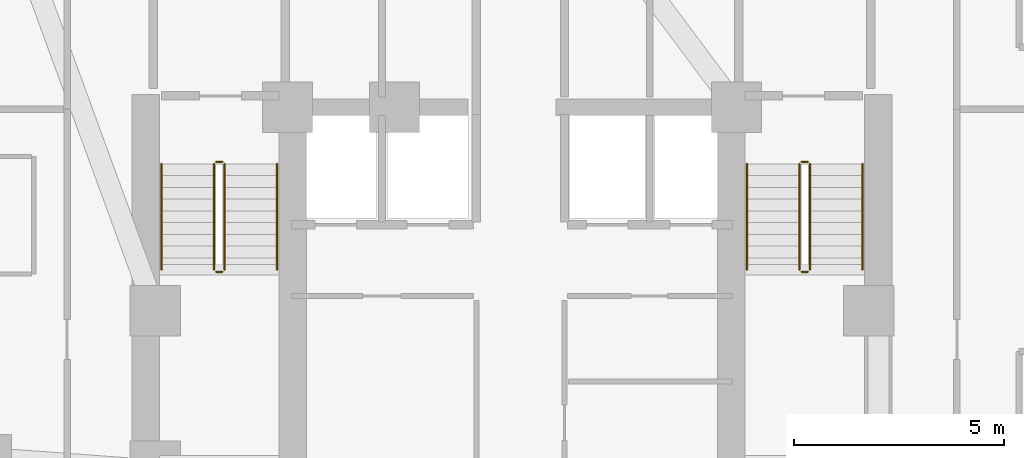
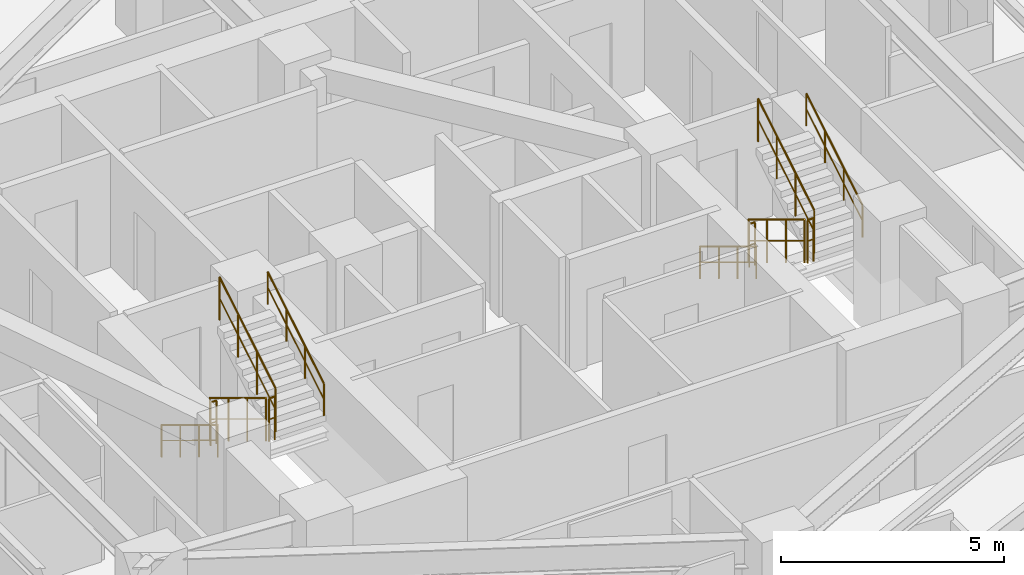
# One storey, part 13 of 13: 12 railings.
"""IFC4 building model written with IfcOpenShell, lengths in metres."""

from ifc_helpers import new_model, si_unit, direction, frame, origin, origin_2d, place, context, subcontext, project, spatial, circle, extrude, material, type_object, element, save


model = new_model("IFC4")

# Units and contexts
model_context = context("Model", 3, precision=1e-05, world=origin(), true_north=direction((0.0, 1.0)))
body_context = subcontext(model_context, "Body", "Model", "MODEL_VIEW")
ifc_project = project(units=[si_unit("LENGTHUNIT", "METRE"), si_unit("AREAUNIT", "SQUARE_METRE"), si_unit("VOLUMEUNIT", "CUBIC_METRE"), si_unit("PLANEANGLEUNIT", "RADIAN"), si_unit("MASSUNIT", "GRAM", prefix="KILO")], contexts=[model_context])

# Site, building, storey
site_placement = place(None, origin())
site = spatial("IfcSite", under=ifc_project, at=site_placement, CompositionType="ELEMENT")
building_placement = place(site_placement, origin())
building = spatial("IfcBuilding", under=site, at=building_placement, Name="Miruveldt Soraemaru", CompositionType="ELEMENT")
storey_placement = place(building_placement, frame((0.0, 0.0, 76.800048828125)))
storey = spatial("IfcBuildingStorey", under=building, at=storey_placement, Name="L21", CompositionType="ELEMENT", Elevation=76.800048828125)

# Railings
ifc_material = material(Name="Steel S355 (355 MPa)", Category="steel")
railing_type_1 = type_object("IfcRailingType", Name="RAIL-HR-900", PredefinedType="HANDRAIL", material=ifc_material)
railing_1_placement = place(storey_placement, frame((35.64990234375, 42.699951171875, 0.169921875)))
element("IfcRailing", 1, at=railing_1_placement, inside=storey, type_object=railing_type_1, Name="L21 ST-1 stair handrail 1", PredefinedType="HANDRAIL", context=body_context, shape_type="SweptSolid", body=[
    extrude(circle(Radius=0.02392578125, at=origin_2d()), frame((0.0, 0.0, 0.8759765625), z_axis=(0.0, -0.85478489116, 0.518982456201), x_axis=(1.0, 0.0, 0.0)), (0.0, 0.0, 1.0), 2.9482421875),
    extrude(circle(Radius=0.01611328125, at=origin_2d()), frame((0.0, 0.0, 0.449951171875), z_axis=(0.0, -0.85478489116, 0.518982456201), x_axis=(1.0, 0.0, 0.0)), (0.0, 0.0, 1.0), 2.9482421875),
    extrude(circle(Radius=0.02099609375, at=origin_2d()), origin(), (0.0, 0.0, 1.0), 0.851806640625),
    extrude(circle(Radius=0.02099609375, at=origin_2d()), frame((0.0, -0.840087890625, 0.510009765625)), (0.0, 0.0, 1.0), 0.851806640625),
    extrude(circle(Radius=0.02099609375, at=origin_2d()), frame((0.0, -1.679931640625, 1.02001953125)), (0.0, 0.0, 1.0), 0.851806640625),
    extrude(circle(Radius=0.02099609375, at=origin_2d()), frame((0.0, -2.52001953125, 1.530029296875)), (0.0, 0.0, 1.0), 0.851806640625),
])
railing_2_placement = place(storey_placement, frame((38.39990234375, 40.179931640625, 1.869873046875)))
element("IfcRailing", 2, at=railing_2_placement, inside=storey, type_object=railing_type_1, Name="L21 ST-1 stair handrail 2", PredefinedType="HANDRAIL", context=body_context, shape_type="SweptSolid", body=[
    extrude(circle(Radius=0.02392578125, at=origin_2d()), frame((0.0, 0.0, 0.8759765625), z_axis=(0.0, 0.85478489116, 0.518982456201), x_axis=(-1.0, 0.0, 0.0)), (0.0, 0.0, 1.0), 2.9482421875),
    extrude(circle(Radius=0.01611328125, at=origin_2d()), frame((0.0, 0.0, 0.449951171875), z_axis=(0.0, 0.85478489116, 0.518982456201), x_axis=(-1.0, 0.0, 0.0)), (0.0, 0.0, 1.0), 2.9482421875),
    extrude(circle(Radius=0.02099609375, at=origin_2d()), origin(), (0.0, 0.0, 1.0), 0.851806640625),
    extrude(circle(Radius=0.02099609375, at=origin_2d()), frame((0.0, 0.840087890625, 0.510009765625)), (0.0, 0.0, 1.0), 0.851806640625),
    extrude(circle(Radius=0.02099609375, at=origin_2d()), frame((0.0, 1.679931640625, 1.02001953125)), (0.0, 0.0, 1.0), 0.851806640625),
    extrude(circle(Radius=0.02099609375, at=origin_2d()), frame((0.0, 2.52001953125, 1.530029296875)), (0.0, 0.0, 1.0), 0.851806640625),
])
railing_3_placement = place(storey_placement, frame((49.60009765625, 42.699951171875, 0.169921875)))
element("IfcRailing", 3, at=railing_3_placement, inside=storey, type_object=railing_type_1, Name="L21 ST-2 stair handrail 1", PredefinedType="HANDRAIL", context=body_context, shape_type="SweptSolid", body=[
    extrude(circle(Radius=0.02392578125, at=origin_2d()), frame((0.0, 0.0, 0.8759765625), z_axis=(0.0, -0.85478489116, 0.518982456201), x_axis=(1.0, 0.0, 0.0)), (0.0, 0.0, 1.0), 2.9482421875),
    extrude(circle(Radius=0.01611328125, at=origin_2d()), frame((0.0, 0.0, 0.449951171875), z_axis=(0.0, -0.85478489116, 0.518982456201), x_axis=(1.0, 0.0, 0.0)), (0.0, 0.0, 1.0), 2.9482421875),
    extrude(circle(Radius=0.02099609375, at=origin_2d()), origin(), (0.0, 0.0, 1.0), 0.851806640625),
    extrude(circle(Radius=0.02099609375, at=origin_2d()), frame((0.0, -0.840087890625, 0.510009765625)), (0.0, 0.0, 1.0), 0.851806640625),
    extrude(circle(Radius=0.02099609375, at=origin_2d()), frame((0.0, -1.679931640625, 1.02001953125)), (0.0, 0.0, 1.0), 0.851806640625),
    extrude(circle(Radius=0.02099609375, at=origin_2d()), frame((0.0, -2.52001953125, 1.530029296875)), (0.0, 0.0, 1.0), 0.851806640625),
])
railing_4_placement = place(storey_placement, frame((52.35009765625, 40.179931640625, 1.869873046875)))
element("IfcRailing", 4, at=railing_4_placement, inside=storey, type_object=railing_type_1, Name="L21 ST-2 stair handrail 2", PredefinedType="HANDRAIL", context=body_context, shape_type="SweptSolid", body=[
    extrude(circle(Radius=0.02392578125, at=origin_2d()), frame((0.0, 0.0, 0.8759765625), z_axis=(0.0, 0.85478489116, 0.518982456201), x_axis=(-1.0, 0.0, 0.0)), (0.0, 0.0, 1.0), 2.9482421875),
    extrude(circle(Radius=0.01611328125, at=origin_2d()), frame((0.0, 0.0, 0.449951171875), z_axis=(0.0, 0.85478489116, 0.518982456201), x_axis=(-1.0, 0.0, 0.0)), (0.0, 0.0, 1.0), 2.9482421875),
    extrude(circle(Radius=0.02099609375, at=origin_2d()), origin(), (0.0, 0.0, 1.0), 0.851806640625),
    extrude(circle(Radius=0.02099609375, at=origin_2d()), frame((0.0, 0.840087890625, 0.510009765625)), (0.0, 0.0, 1.0), 0.851806640625),
    extrude(circle(Radius=0.02099609375, at=origin_2d()), frame((0.0, 1.679931640625, 1.02001953125)), (0.0, 0.0, 1.0), 0.851806640625),
    extrude(circle(Radius=0.02099609375, at=origin_2d()), frame((0.0, 2.52001953125, 1.530029296875)), (0.0, 0.0, 1.0), 0.851806640625),
])
railing_type_2 = type_object("IfcRailingType", Name="RAIL-STGUARD-1200", PredefinedType="GUARDRAIL", material=ifc_material)
railing_5_placement = place(storey_placement, frame((36.89990234375, 42.699951171875, 0.169921875)))
element("IfcRailing", 5, at=railing_5_placement, inside=storey, type_object=railing_type_2, Name="L21 ST-1 stair guard 1", PredefinedType="GUARDRAIL", context=body_context, shape_type="SweptSolid", body=[
    extrude(circle(Radius=0.02392578125, at=origin_2d()), frame((0.0, 0.0, 1.17578125), z_axis=(0.0, -0.85478489116, 0.518982456201), x_axis=(1.0, 0.0, 0.0)), (0.0, 0.0, 1.0), 2.9482421875),
    extrude(circle(Radius=0.01611328125, at=origin_2d()), frame((0.0, 0.0, 0.60009765625), z_axis=(0.0, -0.85478489116, 0.518982456201), x_axis=(1.0, 0.0, 0.0)), (0.0, 0.0, 1.0), 2.9482421875),
    extrude(circle(Radius=0.02099609375, at=origin_2d()), origin(), (0.0, 0.0, 1.0), 1.15185546875),
    extrude(circle(Radius=0.02099609375, at=origin_2d()), frame((0.0, -0.840087890625, 0.510009765625)), (0.0, 0.0, 1.0), 1.15185546875),
    extrude(circle(Radius=0.02099609375, at=origin_2d()), frame((0.0, -1.679931640625, 1.02001953125)), (0.0, 0.0, 1.0), 1.15185546875),
    extrude(circle(Radius=0.02099609375, at=origin_2d()), frame((0.0, -2.52001953125, 1.530029296875)), (0.0, 0.0, 1.0), 1.15185546875),
])
railing_6_placement = place(storey_placement, frame((36.949951171875, 40.1298828125, 1.699951171875)))
element("IfcRailing", 6, at=railing_6_placement, inside=storey, type_object=railing_type_2, Name="L21 ST-1 stair guard 2", PredefinedType="GUARDRAIL", context=body_context, shape_type="SweptSolid", body=[
    extrude(circle(Radius=0.02392578125, at=origin_2d()), frame((0.0, 0.0, 1.17578125), z_axis=(1.0, 0.0, 0.0), x_axis=(0.0, 1.0, 0.0)), (0.0, 0.0, 1.0), 0.150146484375),
    extrude(circle(Radius=0.01611328125, at=origin_2d()), frame((0.0, 0.0, 0.60009765625), z_axis=(1.0, 0.0, 0.0), x_axis=(0.0, 1.0, 0.0)), (0.0, 0.0, 1.0), 0.150146484375),
    extrude(circle(Radius=0.02099609375, at=origin_2d()), origin(), (0.0, 0.0, 1.0), 1.15185546875),
    extrude(circle(Radius=0.02099609375, at=origin_2d()), frame((0.150146484375, 0.0, 0.0)), (0.0, 0.0, 1.0), 1.15185546875),
])
railing_7_placement = place(storey_placement, frame((37.14990234375, 40.179931640625, 1.869873046875)))
element("IfcRailing", 7, at=railing_7_placement, inside=storey, type_object=railing_type_2, Name="L21 ST-1 stair guard 3", PredefinedType="GUARDRAIL", context=body_context, shape_type="SweptSolid", body=[
    extrude(circle(Radius=0.02392578125, at=origin_2d()), frame((0.0, 0.0, 1.17578125), z_axis=(0.0, 0.85478489116, 0.518982456201), x_axis=(-1.0, 0.0, 0.0)), (0.0, 0.0, 1.0), 2.9482421875),
    extrude(circle(Radius=0.01611328125, at=origin_2d()), frame((0.0, 0.0, 0.60009765625), z_axis=(0.0, 0.85478489116, 0.518982456201), x_axis=(-1.0, 0.0, 0.0)), (0.0, 0.0, 1.0), 2.9482421875),
    extrude(circle(Radius=0.02099609375, at=origin_2d()), origin(), (0.0, 0.0, 1.0), 1.15185546875),
    extrude(circle(Radius=0.02099609375, at=origin_2d()), frame((0.0, 0.840087890625, 0.510009765625)), (0.0, 0.0, 1.0), 1.15185546875),
    extrude(circle(Radius=0.02099609375, at=origin_2d()), frame((0.0, 1.679931640625, 1.02001953125)), (0.0, 0.0, 1.0), 1.15185546875),
    extrude(circle(Radius=0.02099609375, at=origin_2d()), frame((0.0, 2.52001953125, 1.530029296875)), (0.0, 0.0, 1.0), 1.15185546875),
])
railing_8_placement = place(storey_placement, frame((36.949951171875, 42.75, 0.0)))
element("IfcRailing", 8, at=railing_8_placement, inside=storey, type_object=railing_type_2, Name="L21 ST-1 stair guard 4", PredefinedType="GUARDRAIL", context=body_context, shape_type="SweptSolid", body=[
    extrude(circle(Radius=0.02392578125, at=origin_2d()), frame((0.0, 0.0, 1.17578125), z_axis=(1.0, 0.0, 0.0), x_axis=(0.0, 1.0, 0.0)), (0.0, 0.0, 1.0), 0.150146484375),
    extrude(circle(Radius=0.01611328125, at=origin_2d()), frame((0.0, 0.0, 0.60009765625), z_axis=(1.0, 0.0, 0.0), x_axis=(0.0, 1.0, 0.0)), (0.0, 0.0, 1.0), 0.150146484375),
    extrude(circle(Radius=0.02099609375, at=origin_2d()), origin(), (0.0, 0.0, 1.0), 1.15185546875),
    extrude(circle(Radius=0.02099609375, at=origin_2d()), frame((0.150146484375, 0.0, 0.0)), (0.0, 0.0, 1.0), 1.15185546875),
])
railing_9_placement = place(storey_placement, frame((50.85009765625, 42.699951171875, 0.169921875)))
element("IfcRailing", 9, at=railing_9_placement, inside=storey, type_object=railing_type_2, Name="L21 ST-2 stair guard 1", PredefinedType="GUARDRAIL", context=body_context, shape_type="SweptSolid", body=[
    extrude(circle(Radius=0.02392578125, at=origin_2d()), frame((0.0, 0.0, 1.17578125), z_axis=(0.0, -0.85478489116, 0.518982456201), x_axis=(1.0, 0.0, 0.0)), (0.0, 0.0, 1.0), 2.9482421875),
    extrude(circle(Radius=0.01611328125, at=origin_2d()), frame((0.0, 0.0, 0.60009765625), z_axis=(0.0, -0.85478489116, 0.518982456201), x_axis=(1.0, 0.0, 0.0)), (0.0, 0.0, 1.0), 2.9482421875),
    extrude(circle(Radius=0.02099609375, at=origin_2d()), origin(), (0.0, 0.0, 1.0), 1.15185546875),
    extrude(circle(Radius=0.02099609375, at=origin_2d()), frame((0.0, -0.840087890625, 0.510009765625)), (0.0, 0.0, 1.0), 1.15185546875),
    extrude(circle(Radius=0.02099609375, at=origin_2d()), frame((0.0, -1.679931640625, 1.02001953125)), (0.0, 0.0, 1.0), 1.15185546875),
    extrude(circle(Radius=0.02099609375, at=origin_2d()), frame((0.0, -2.52001953125, 1.530029296875)), (0.0, 0.0, 1.0), 1.15185546875),
])
railing_10_placement = place(storey_placement, frame((50.89990234375, 40.1298828125, 1.699951171875)))
element("IfcRailing", 10, at=railing_10_placement, inside=storey, type_object=railing_type_2, Name="L21 ST-2 stair guard 2", PredefinedType="GUARDRAIL", context=body_context, shape_type="SweptSolid", body=[
    extrude(circle(Radius=0.02392578125, at=origin_2d()), frame((0.0, 0.0, 1.17578125), z_axis=(1.0, 0.0, 0.0), x_axis=(0.0, 1.0, 0.0)), (0.0, 0.0, 1.0), 0.150146484375),
    extrude(circle(Radius=0.01611328125, at=origin_2d()), frame((0.0, 0.0, 0.60009765625), z_axis=(1.0, 0.0, 0.0), x_axis=(0.0, 1.0, 0.0)), (0.0, 0.0, 1.0), 0.150146484375),
    extrude(circle(Radius=0.02099609375, at=origin_2d()), origin(), (0.0, 0.0, 1.0), 1.15185546875),
    extrude(circle(Radius=0.02099609375, at=origin_2d()), frame((0.150146484375, 0.0, 0.0)), (0.0, 0.0, 1.0), 1.15185546875),
])
railing_11_placement = place(storey_placement, frame((51.10009765625, 40.179931640625, 1.869873046875)))
element("IfcRailing", 11, at=railing_11_placement, inside=storey, type_object=railing_type_2, Name="L21 ST-2 stair guard 3", PredefinedType="GUARDRAIL", context=body_context, shape_type="SweptSolid", body=[
    extrude(circle(Radius=0.02392578125, at=origin_2d()), frame((0.0, 0.0, 1.17578125), z_axis=(0.0, 0.85478489116, 0.518982456201), x_axis=(-1.0, 0.0, 0.0)), (0.0, 0.0, 1.0), 2.9482421875),
    extrude(circle(Radius=0.01611328125, at=origin_2d()), frame((0.0, 0.0, 0.60009765625), z_axis=(0.0, 0.85478489116, 0.518982456201), x_axis=(-1.0, 0.0, 0.0)), (0.0, 0.0, 1.0), 2.9482421875),
    extrude(circle(Radius=0.02099609375, at=origin_2d()), origin(), (0.0, 0.0, 1.0), 1.15185546875),
    extrude(circle(Radius=0.02099609375, at=origin_2d()), frame((0.0, 0.840087890625, 0.510009765625)), (0.0, 0.0, 1.0), 1.15185546875),
    extrude(circle(Radius=0.02099609375, at=origin_2d()), frame((0.0, 1.679931640625, 1.02001953125)), (0.0, 0.0, 1.0), 1.15185546875),
    extrude(circle(Radius=0.02099609375, at=origin_2d()), frame((0.0, 2.52001953125, 1.530029296875)), (0.0, 0.0, 1.0), 1.15185546875),
])
railing_12_placement = place(storey_placement, frame((50.89990234375, 42.75, 0.0)))
element("IfcRailing", 12, at=railing_12_placement, inside=storey, type_object=railing_type_2, Name="L21 ST-2 stair guard 4", PredefinedType="GUARDRAIL", context=body_context, shape_type="SweptSolid", body=[
    extrude(circle(Radius=0.02392578125, at=origin_2d()), frame((0.0, 0.0, 1.17578125), z_axis=(1.0, 0.0, 0.0), x_axis=(0.0, 1.0, 0.0)), (0.0, 0.0, 1.0), 0.150146484375),
    extrude(circle(Radius=0.01611328125, at=origin_2d()), frame((0.0, 0.0, 0.60009765625), z_axis=(1.0, 0.0, 0.0), x_axis=(0.0, 1.0, 0.0)), (0.0, 0.0, 1.0), 0.150146484375),
    extrude(circle(Radius=0.02099609375, at=origin_2d()), origin(), (0.0, 0.0, 1.0), 1.15185546875),
    extrude(circle(Radius=0.02099609375, at=origin_2d()), frame((0.150146484375, 0.0, 0.0)), (0.0, 0.0, 1.0), 1.15185546875),
])

save(model, "model.ifc")
